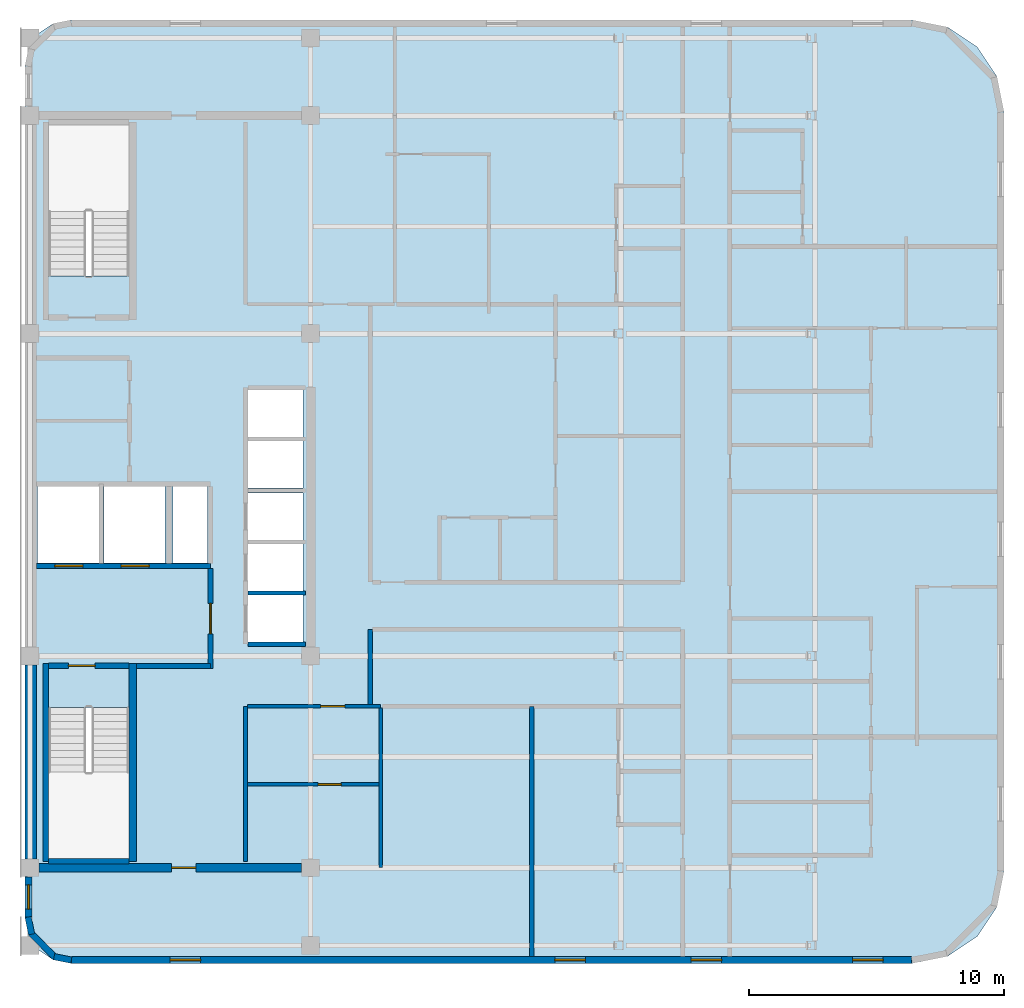
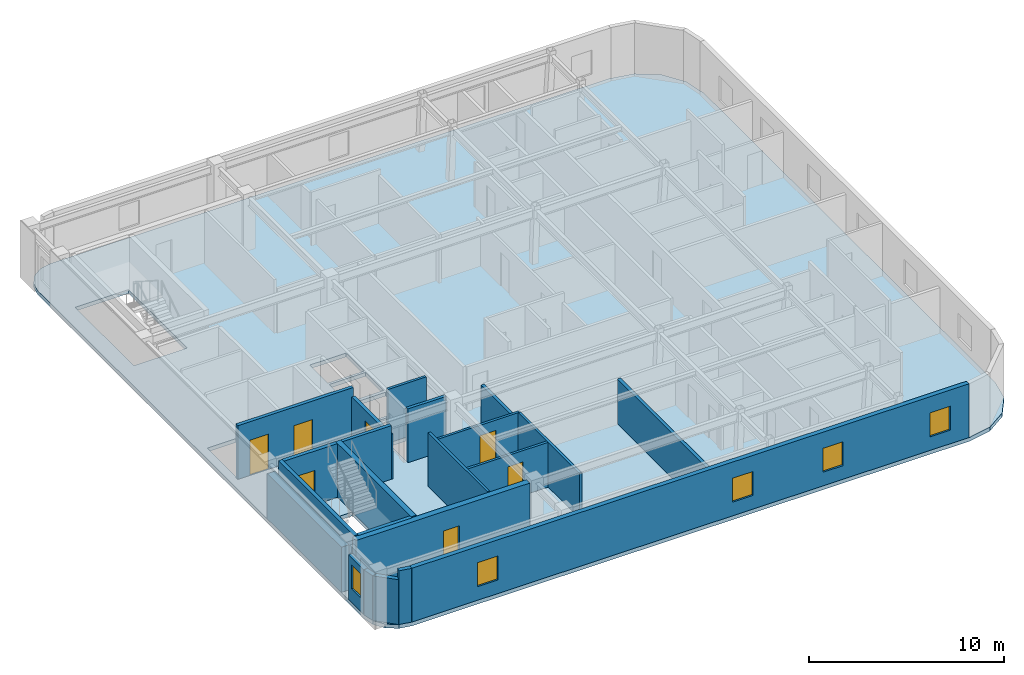
# One storey, part 2 of 7: 22 walls, 7 doors, 5 windows, 1 slab, 12 openings.
"""IFC4 building model written with IfcOpenShell, lengths in metres."""

from ifc_helpers import new_model, si_unit, direction, frame, frame_2d, origin, place, context, subcontext, project, spatial, polyline, rectangle, outline, extrude, material, layer, layer_set, type_object, element, fill, save


model = new_model("IFC4")

# Units and contexts
model_context = context("Model", 3, precision=1e-05, world=origin(), true_north=direction((0.0, 1.0)))
body_context = subcontext(model_context, "Body", "Model", "MODEL_VIEW")
ifc_project = project(units=[si_unit("LENGTHUNIT", "METRE"), si_unit("AREAUNIT", "SQUARE_METRE"), si_unit("VOLUMEUNIT", "CUBIC_METRE"), si_unit("PLANEANGLEUNIT", "RADIAN"), si_unit("MASSUNIT", "GRAM", prefix="KILO")], contexts=[model_context])

# Site, building, storey
site_placement = place(None, origin())
site = spatial("IfcSite", under=ifc_project, at=site_placement, CompositionType="ELEMENT")
building_placement = place(site_placement, origin())
building = spatial("IfcBuilding", under=site, at=building_placement, Name="Ochreholt Gables", CompositionType="ELEMENT")
storey_placement = place(building_placement, frame((0.0, 0.0, 209.39990234375)))
storey = spatial("IfcBuildingStorey", under=building, at=storey_placement, Name="L54", CompositionType="ELEMENT", Elevation=209.39990234375)

# Slab
ifc_material_1 = material(Name="Concrete 40 MPa", Category="concrete")
ifc_layer_1 = layer(ifc_material_1, 0.239990234375, Name="Concrete 40 MPa")
ifc_layer_set_1 = layer_set([ifc_layer_1], Name="Concrete 40 MPa")
slab_type = type_object("IfcSlabType", Name="SLAB-TWR-240", PredefinedType="FLOOR", material=ifc_layer_set_1)
slab_placement = place(storey_placement, frame((0.0, 0.0, -0.239990234375)))
element("IfcSlab", 1, at=slab_placement, inside=storey, type_object=slab_type, Name="L54 Structural Floor Slab", PredefinedType="FLOOR", context=body_context, shape_type="SweptSolid", body=[
    extrude(outline(polyline([(24.0, 7.300048828125), (24.136962890625, 6.611083984375), (24.527099609375, 6.027099609375), (25.111083984375, 5.636962890625), (25.800048828125, 5.5), (58.800048828125, 5.5), (60.177734375, 5.77392578125), (61.345703125, 6.554443359375), (62.1259765625, 7.722412109375), (62.39990234375, 9.10009765625), (62.39990234375, 38.89990234375), (62.1259765625, 40.277587890625), (61.345703125, 41.445556640625), (60.177734375, 42.22607421875), (58.800048828125, 42.5), (25.800048828125, 42.5), (25.111083984375, 42.363037109375), (24.527099609375, 41.972900390625), (24.136962890625, 41.388916015625), (24.0, 40.699951171875), (24.0, 7.300048828125)]), holes=[polyline([(24.919921875, 15.539306640625), (24.919921875, 9.52001953125), (28.080078125, 9.52001953125), (28.080078125, 15.539306640625), (24.919921875, 15.539306640625)]), polyline([(28.080078125, 32.460693359375), (28.080078125, 38.47998046875), (24.919921875, 38.47998046875), (24.919921875, 32.460693359375), (28.080078125, 32.460693359375)]), polyline([(24.5, 21.199951171875), (26.89990234375, 21.199951171875), (26.89990234375, 24.199951171875), (24.5, 24.199951171875), (24.5, 21.199951171875)]), polyline([(27.10009765625, 21.199951171875), (29.5, 21.199951171875), (29.5, 24.199951171875), (27.10009765625, 24.199951171875), (27.10009765625, 21.199951171875)]), polyline([(32.75, 18.10009765625), (34.89990234375, 18.10009765625), (34.89990234375, 19.949951171875), (32.75, 19.949951171875), (32.75, 18.10009765625)]), polyline([(32.75, 20.10009765625), (34.89990234375, 20.10009765625), (34.89990234375, 21.949951171875), (32.75, 21.949951171875), (32.75, 20.10009765625)]), polyline([(32.75, 22.10009765625), (34.89990234375, 22.10009765625), (34.89990234375, 23.949951171875), (32.75, 23.949951171875), (32.75, 22.10009765625)]), polyline([(32.75, 24.14990234375), (34.89990234375, 24.14990234375), (34.89990234375, 26.0), (32.75, 26.0), (32.75, 24.14990234375)]), polyline([(32.75, 26.14990234375), (34.89990234375, 26.14990234375), (34.89990234375, 28.0), (32.75, 28.0), (32.75, 26.14990234375)]), polyline([(29.800048828125, 21.199951171875), (31.14990234375, 21.199951171875), (31.14990234375, 24.199951171875), (29.800048828125, 24.199951171875), (29.800048828125, 21.199951171875)])]), origin(), (0.0, 0.0, 1.0), 0.239990234375),
])

# Wall, opening, door
ifc_material_2 = material(Name="Concrete 50 MPa", Category="concrete")
ifc_layer_2 = layer(ifc_material_2, 0.35009765625, Name="Concrete 50 MPa")
ifc_layer_set_2 = layer_set([ifc_layer_2], Name="Concrete 50 MPa")
wall_type_1 = type_object("IfcWallType", Name="WALL-CSW-350", PredefinedType="SHEAR", material=ifc_layer_set_2)
wall_1_placement = place(storey_placement, frame((24.550048828125, 9.25, 0.0), z_axis=(0.0, 0.0, 1.0), x_axis=(1.0, 0.0, 0.0)))
wall_1 = element("IfcWall", 2, at=wall_1_placement, inside=storey, type_object=wall_type_1, Name="L54 Core South Shear Wall", PredefinedType="SHEAR", context=body_context, shape_type="SweptSolid", body=[
    extrude(rectangle(XDim=10.300048828125, YDim=0.35009765625, at=frame_2d((5.14990234375, 0.0))), origin(), (0.0, 0.0, 1.0), 3.360107421875),
])
opening_1_placement = place(wall_1_placement, frame((5.199951171875, 0.0, 0.0)))
opening_1 = element("IfcOpeningElement", 3, at=opening_1_placement, cuts=wall_1, Name="Opening D-FL2", PredefinedType="OPENING", context=body_context, shape_type="SweptSolid", body=[
    extrude(rectangle(XDim=0.949951171875, YDim=2.14990234375, at=frame_2d((0.47509765625, 1.074951171875))), frame((0.0, 0.18505859375, 0.0), z_axis=(0.0, -1.0, 0.0), x_axis=(1.0, 0.0, 0.0)), (0.0, 0.0, 1.0), 0.3701171875),
])
ifc_material_3 = material(Name="Hollow Metal Steel", Category="steel")
door_type_1 = type_object("IfcDoorType", Name="DR-INT-FLB950", OperationType="NOTDEFINED", PredefinedType="DOOR", material=ifc_material_3)
door_1_placement = place(opening_1_placement, frame((0.949951171875, 0.0, 0.0), z_axis=(0.0, 0.0, 1.0), x_axis=(-1.0, 0.0, 0.0)))
door_1 = element("IfcDoor", 4, at=door_1_placement, inside=storey, type_object=door_type_1, Name="L54 Door D-C3SSL-L54", OperationType="SINGLE_SWING_LEFT", OverallHeight=2.14990234375, OverallWidth=0.949951171875, PredefinedType="DOOR", context=body_context, shape_type="SweptSolid", body=[
    extrude(rectangle(XDim=0.949951171875, YDim=2.14990234375, at=frame_2d((0.47509765625, 1.074951171875))), frame((0.0, 0.02490234375, 0.0), z_axis=(0.0, -1.0, 0.0), x_axis=(1.0, 0.0, 0.0)), (0.0, 0.0, 1.0), 0.050048828125),
])
fill(opening_1, door_1)

# Wall
ifc_layer_3 = layer(ifc_material_2, 0.449951171875, Name="Concrete 50 MPa")
ifc_layer_set_3 = layer_set([ifc_layer_3], Name="Concrete 50 MPa")
wall_type_2 = type_object("IfcWallType", Name="WALL-CSW-EXT", PredefinedType="SHEAR", material=ifc_layer_set_3)
wall_2_placement = place(storey_placement, frame((24.22509765625, 9.60009765625, 0.0), z_axis=(0.0, 0.0, 1.0), x_axis=(0.0, 1.0, 0.0)))
element("IfcWall", 5, at=wall_2_placement, inside=storey, type_object=wall_type_2, Name="L54 Core West Shear Wall WS", PredefinedType="SHEAR", context=body_context, shape_type="SweptSolid", body=[
    extrude(rectangle(XDim=7.599853515625, YDim=0.449951171875, at=frame_2d((3.7998046875, 0.0))), origin(), (0.0, 0.0, 1.0), 2.821044921875),
])

# Wall, openings, windows
ifc_material_4 = material(Name="Precast concrete 40 MPa", Category="concrete")
ifc_layer_4 = layer(ifc_material_4, 0.27001953125, Name="Precast concrete 40 MPa")
ifc_layer_set_4 = layer_set([ifc_layer_4], Name="Precast concrete 40 MPa")
wall_type_3 = type_object("IfcWallType", Name="WALL-EXT-270", PredefinedType="SOLIDWALL", material=ifc_layer_set_4)
wall_3_placement = place(storey_placement, frame((25.820068359375, 5.635009765625, 0.0), z_axis=(0.0, 0.0, 1.0), x_axis=(1.0, 0.0, 0.0)))
wall_3 = element("IfcWall", 6, at=wall_3_placement, inside=storey, type_object=wall_type_3, Name="L54 South Exterior Wall", PredefinedType="SOLIDWALL", context=body_context, shape_type="SweptSolid", body=[
    extrude(rectangle(XDim=32.9599609375, YDim=0.27001953125, at=frame_2d((16.47998046875, 0.0))), origin(), (0.0, 0.0, 1.0), 3.360107421875),
])
opening_2_placement = place(wall_3_placement, frame((3.8701171875, 0.0, 0.85009765625)))
opening_2 = element("IfcOpeningElement", 7, at=opening_2_placement, cuts=wall_3, Name="Opening WN-3", PredefinedType="OPENING", context=body_context, shape_type="SweptSolid", body=[
    extrude(rectangle(XDim=1.199951171875, YDim=1.5, at=frame_2d((0.60009765625, 0.75))), frame((0.0, 0.14501953125, 0.0), z_axis=(0.0, -1.0, 0.0), x_axis=(1.0, 0.0, 0.0)), (0.0, 0.0, 1.0), 0.2900390625),
])
opening_3_placement = place(wall_3_placement, frame((18.96142578125, 0.0, 0.85009765625)))
opening_3 = element("IfcOpeningElement", 8, at=opening_3_placement, cuts=wall_3, Name="Opening WN-3", PredefinedType="OPENING", context=body_context, shape_type="SweptSolid", body=[
    extrude(rectangle(XDim=1.199951171875, YDim=1.5, at=frame_2d((0.60009765625, 0.75))), frame((0.0, 0.14501953125, 0.0), z_axis=(0.0, -1.0, 0.0), x_axis=(1.0, 0.0, 0.0)), (0.0, 0.0, 1.0), 0.2900390625),
])
opening_4_placement = place(wall_3_placement, frame((24.304931640625, 0.0, 0.85009765625)))
opening_4 = element("IfcOpeningElement", 9, at=opening_4_placement, cuts=wall_3, Name="Opening WN-3", PredefinedType="OPENING", context=body_context, shape_type="SweptSolid", body=[
    extrude(rectangle(XDim=1.199951171875, YDim=1.5, at=frame_2d((0.60009765625, 0.75))), frame((0.0, 0.14501953125, 0.0), z_axis=(0.0, -1.0, 0.0), x_axis=(1.0, 0.0, 0.0)), (0.0, 0.0, 1.0), 0.2900390625),
])
opening_5_placement = place(wall_3_placement, frame((30.643310546875, 0.0, 0.85009765625)))
opening_5 = element("IfcOpeningElement", 10, at=opening_5_placement, cuts=wall_3, Name="Opening WN-3", PredefinedType="OPENING", context=body_context, shape_type="SweptSolid", body=[
    extrude(rectangle(XDim=1.199951171875, YDim=1.5, at=frame_2d((0.60009765625, 0.75))), frame((0.0, 0.14501953125, 0.0), z_axis=(0.0, -1.0, 0.0), x_axis=(1.0, 0.0, 0.0)), (0.0, 0.0, 1.0), 0.2900390625),
])
ifc_material_5 = material(Name="Triple-Glazed Thermally Broken Aluminium Window", Category="aluminium")
window_type_1 = type_object("IfcWindowType", Name="WIN-RES-1200", PartitioningType="SINGLE_PANEL", PredefinedType="WINDOW", material=ifc_material_5)
window_1_placement = place(opening_2_placement, origin())
window_1 = element("IfcWindow", 11, at=window_1_placement, inside=storey, type_object=window_type_1, Name="L54 Window W-EXT-S-L54-1", OverallHeight=1.5, OverallWidth=1.199951171875, PartitioningType="SINGLE_PANEL", PredefinedType="WINDOW", context=body_context, shape_type="SweptSolid", body=[
    extrude(rectangle(XDim=1.199951171875, YDim=1.5, at=frame_2d((0.60009765625, 0.75))), frame((0.0, 0.030029296875, 0.0), z_axis=(0.0, -1.0, 0.0), x_axis=(1.0, 0.0, 0.0)), (0.0, 0.0, 1.0), 0.06005859375),
])
fill(opening_2, window_1)
window_2_placement = place(opening_3_placement, origin())
window_2 = element("IfcWindow", 12, at=window_2_placement, inside=storey, type_object=window_type_1, Name="L54 Window W-EXT-S-L54-2", OverallHeight=1.5, OverallWidth=1.199951171875, PartitioningType="SINGLE_PANEL", PredefinedType="WINDOW", context=body_context, shape_type="SweptSolid", body=[
    extrude(rectangle(XDim=1.199951171875, YDim=1.5, at=frame_2d((0.60009765625, 0.75))), frame((0.0, 0.030029296875, 0.0), z_axis=(0.0, -1.0, 0.0), x_axis=(1.0, 0.0, 0.0)), (0.0, 0.0, 1.0), 0.06005859375),
])
fill(opening_3, window_2)
window_3_placement = place(opening_4_placement, origin())
window_3 = element("IfcWindow", 13, at=window_3_placement, inside=storey, type_object=window_type_1, Name="L54 Window W-EXT-S-L54-3", OverallHeight=1.5, OverallWidth=1.199951171875, PartitioningType="SINGLE_PANEL", PredefinedType="WINDOW", context=body_context, shape_type="SweptSolid", body=[
    extrude(rectangle(XDim=1.199951171875, YDim=1.5, at=frame_2d((0.60009765625, 0.75))), frame((0.0, 0.030029296875, 0.0), z_axis=(0.0, -1.0, 0.0), x_axis=(1.0, 0.0, 0.0)), (0.0, 0.0, 1.0), 0.06005859375),
])
fill(opening_4, window_3)
window_4_placement = place(opening_5_placement, origin())
window_4 = element("IfcWindow", 14, at=window_4_placement, inside=storey, type_object=window_type_1, Name="L54 Window W-EXT-S-L54-4", OverallHeight=1.5, OverallWidth=1.199951171875, PartitioningType="SINGLE_PANEL", PredefinedType="WINDOW", context=body_context, shape_type="SweptSolid", body=[
    extrude(rectangle(XDim=1.199951171875, YDim=1.5, at=frame_2d((0.60009765625, 0.75))), frame((0.0, 0.030029296875, 0.0), z_axis=(0.0, -1.0, 0.0), x_axis=(1.0, 0.0, 0.0)), (0.0, 0.0, 1.0), 0.06005859375),
])
fill(opening_5, window_4)

# Wall, opening, window
wall_4_placement = place(storey_placement, frame((24.135009765625, 7.320068359375, 0.0), z_axis=(0.0, 0.0, 1.0), x_axis=(0.0, 1.0, 0.0)))
wall_4 = element("IfcWall", 15, at=wall_4_placement, inside=storey, type_object=wall_type_3, Name="L54 West Facade South Bay Wall", PredefinedType="SOLIDWALL", context=body_context, shape_type="SweptSolid", body=[
    extrude(rectangle(XDim=1.559814453125, YDim=0.27001953125, at=frame_2d((0.77978515625, 0.0))), origin(), (0.0, 0.0, 1.0), 2.802978515625),
])
opening_6_placement = place(wall_4_placement, frame((0.304931640625, 0.0, 0.85009765625)))
opening_6 = element("IfcOpeningElement", 16, at=opening_6_placement, cuts=wall_4, Name="Opening WN-10", PredefinedType="OPENING", context=body_context, shape_type="SweptSolid", body=[
    extrude(rectangle(XDim=0.949951171875, YDim=1.5, at=frame_2d((0.47509765625, 0.75))), frame((0.0, 0.14501953125, 0.0), z_axis=(0.0, -1.0, 0.0), x_axis=(1.0, 0.0, 0.0)), (0.0, 0.0, 1.0), 0.2900390625),
])
window_type_2 = type_object("IfcWindowType", Name="WIN-RES-950", PartitioningType="SINGLE_PANEL", PredefinedType="WINDOW", material=ifc_material_5)
window_5_placement = place(opening_6_placement, origin())
window_5 = element("IfcWindow", 17, at=window_5_placement, inside=storey, type_object=window_type_2, Name="L54 South Sky Lounge West Window", OverallHeight=1.5, OverallWidth=0.949951171875, PartitioningType="SINGLE_PANEL", PredefinedType="WINDOW", context=body_context, shape_type="SweptSolid", body=[
    extrude(rectangle(XDim=0.949951171875, YDim=1.5, at=frame_2d((0.47509765625, 0.75))), frame((0.0, 0.030029296875, 0.0), z_axis=(0.0, -1.0, 0.0), x_axis=(1.0, 0.0, 0.0)), (0.0, 0.0, 1.0), 0.06005859375),
])
fill(opening_6, window_5)

# Walls
ifc_layer_5 = layer(ifc_material_4, 0.25, Name="Precast concrete 40 MPa")
ifc_layer_set_5 = layer_set([ifc_layer_5], Name="Precast concrete 40 MPa")
wall_type_4 = type_object("IfcWallType", Name="WALL-EXT-CNR", PredefinedType="SOLIDWALL", material=ifc_layer_set_5)
wall_5_placement = place(storey_placement, frame((24.124267578125, 7.31640625, 0.0), z_axis=(0.0, 0.0, 1.0), x_axis=(0.194952956674, -0.980812594069, 0.0)))
element("IfcWall", 18, at=wall_5_placement, inside=storey, type_object=wall_type_4, Name="L54 Rounded Corner Wall SW-1", PredefinedType="SOLIDWALL", context=body_context, shape_type="SweptSolid", body=[
    extrude(rectangle(XDim=0.686279296875, YDim=0.25, at=frame_2d((0.34326171875, 0.0))), origin(), (0.0, 0.0, 1.0), 2.802978515625),
])
wall_6_placement = place(storey_placement, frame((24.23095703125, 6.69384765625, 0.0), z_axis=(0.0, 0.0, 1.0), x_axis=(0.707106781187, -0.707106781187, 0.0)))
element("IfcWall", 19, at=wall_6_placement, inside=storey, type_object=wall_type_4, Name="L54 Rounded Corner Wall SW-2", PredefinedType="SOLIDWALL", context=body_context, shape_type="SweptSolid", body=[
    extrude(rectangle(XDim=1.36181640625, YDim=0.25, at=frame_2d((0.680908203125, 0.0))), origin(), (0.0, 0.0, 1.0), 2.802978515625),
])
wall_7_placement = place(storey_placement, frame((25.143310546875, 5.758056640625, 0.0), z_axis=(0.0, 0.0, 1.0), x_axis=(0.980812594069, -0.194952956674, 0.0)))
element("IfcWall", 20, at=wall_7_placement, inside=storey, type_object=wall_type_4, Name="L54 Rounded Corner Wall SW-3", PredefinedType="SOLIDWALL", context=body_context, shape_type="SweptSolid", body=[
    extrude(rectangle(XDim=0.686279296875, YDim=0.25, at=frame_2d((0.34326171875, 0.0))), origin(), (0.0, 0.0, 1.0), 3.360107421875),
])

# Wall, openings, doors
ifc_layer_6 = layer(ifc_material_1, 0.199951171875, Name="Concrete 40 MPa")
ifc_layer_set_6 = layer_set([ifc_layer_6], Name="Concrete 40 MPa")
wall_type_5 = type_object("IfcWallType", Name="WALL-INT-CF200", PredefinedType="STANDARD", material=ifc_layer_set_6)
wall_8_placement = place(storey_placement, frame((24.449951171875, 21.090087890625, 0.0), z_axis=(0.0, 0.0, 1.0), x_axis=(1.0, 0.0, 0.0)))
wall_8 = element("IfcWall", 21, at=wall_8_placement, inside=storey, type_object=wall_type_5, Name="L54 Interior Wall WI-FFN-L54", PredefinedType="STANDARD", context=body_context, shape_type="SweptSolid", body=[
    extrude(rectangle(XDim=6.830078125, YDim=0.199951171875, at=frame_2d((3.4150390625, 0.0))), origin(), (0.0, 0.0, 1.0), 3.360107421875),
])
opening_7_placement = place(wall_8_placement, frame((0.719970703125, 0.0, 0.0)))
opening_7 = element("IfcOpeningElement", 22, at=opening_7_placement, cuts=wall_8, Name="Opening LD-FF", PredefinedType="OPENING", context=body_context, shape_type="SweptSolid", body=[
    extrude(rectangle(XDim=1.10009765625, YDim=2.199951171875, at=frame_2d((0.550048828125, 1.10009765625))), frame((0.0, 0.10986328125, 0.0), z_axis=(0.0, -1.0, 0.0), x_axis=(1.0, 0.0, 0.0)), (0.0, 0.0, 1.0), 0.219970703125),
])
opening_8_placement = place(wall_8_placement, frame((3.320068359375, 0.0, 0.0)))
opening_8 = element("IfcOpeningElement", 23, at=opening_8_placement, cuts=wall_8, Name="Opening LD-FF", PredefinedType="OPENING", context=body_context, shape_type="SweptSolid", body=[
    extrude(rectangle(XDim=1.10009765625, YDim=2.199951171875, at=frame_2d((0.550048828125, 1.10009765625))), frame((0.0, 0.10986328125, 0.0), z_axis=(0.0, -1.0, 0.0), x_axis=(1.0, 0.0, 0.0)), (0.0, 0.0, 1.0), 0.219970703125),
])
ifc_material_6 = material(Name="Stainless Steel", Category="steel")
door_type_2 = type_object("IfcDoorType", Name="DR-LFT-FF1100", OperationType="NOTDEFINED", PredefinedType="DOOR", material=ifc_material_6)
door_2_placement = place(opening_7_placement, origin())
door_2 = element("IfcDoor", 24, at=door_2_placement, inside=storey, type_object=door_type_2, Name="L54 Door LD-FF1-L54", OperationType="SLIDING_TO_LEFT", OverallHeight=2.199951171875, OverallWidth=1.10009765625, PredefinedType="DOOR", context=body_context, shape_type="SweptSolid", body=[
    extrude(rectangle(XDim=1.10009765625, YDim=2.199951171875, at=frame_2d((0.550048828125, 1.10009765625))), frame((0.0, 0.02490234375, 0.0), z_axis=(0.0, -1.0, 0.0), x_axis=(1.0, 0.0, 0.0)), (0.0, 0.0, 1.0), 0.050048828125),
])
fill(opening_7, door_2)
door_3_placement = place(opening_8_placement, origin())
door_3 = element("IfcDoor", 25, at=door_3_placement, inside=storey, type_object=door_type_2, Name="L54 Door LD-FF2-L54", OperationType="SLIDING_TO_LEFT", OverallHeight=2.199951171875, OverallWidth=1.10009765625, PredefinedType="DOOR", context=body_context, shape_type="SweptSolid", body=[
    extrude(rectangle(XDim=1.10009765625, YDim=2.199951171875, at=frame_2d((0.550048828125, 1.10009765625))), frame((0.0, 0.02490234375, 0.0), z_axis=(0.0, -1.0, 0.0), x_axis=(1.0, 0.0, 0.0)), (0.0, 0.0, 1.0), 0.050048828125),
])
fill(opening_8, door_3)

# Wall
wall_9_placement = place(storey_placement, frame((28.3798828125, 17.169921875, 0.0), z_axis=(0.0, 0.0, 1.0), x_axis=(1.0, 0.0, 0.0)))
element("IfcWall", 26, at=wall_9_placement, inside=storey, type_object=wall_type_5, Name="L54 Interior Wall WI-FFS-L54", PredefinedType="STANDARD", context=body_context, shape_type="SweptSolid", body=[
    extrude(rectangle(XDim=2.900146484375, YDim=0.199951171875, at=frame_2d((1.4501953125, 0.0))), origin(), (0.0, 0.0, 1.0), 3.360107421875),
])

# Wall, opening, door
wall_10_placement = place(storey_placement, frame((31.280029296875, 17.070068359375, 0.0), z_axis=(0.0, 0.0, 1.0), x_axis=(0.0, 1.0, 0.0)))
wall_10 = element("IfcWall", 27, at=wall_10_placement, inside=storey, type_object=wall_type_5, Name="L54 Interior Wall WI-FFE-L54", PredefinedType="STANDARD", context=body_context, shape_type="SweptSolid", body=[
    extrude(rectangle(XDim=3.919921875, YDim=0.199951171875, at=frame_2d((1.9599609375, 0.0))), origin(), (0.0, 0.0, 1.0), 2.802978515625),
])
opening_9_placement = place(wall_10_placement, frame((1.35009765625, 0.0, 0.0)))
opening_9 = element("IfcOpeningElement", 28, at=opening_9_placement, cuts=wall_10, Name="Opening D-FFL", PredefinedType="OPENING", context=body_context, shape_type="SweptSolid", body=[
    extrude(rectangle(XDim=1.199951171875, YDim=2.14990234375, at=frame_2d((0.60009765625, 1.074951171875))), frame((0.0, 0.10986328125, 0.0), z_axis=(0.0, -1.0, 0.0), x_axis=(1.0, 0.0, 0.0)), (0.0, 0.0, 1.0), 0.219970703125),
])
door_type_3 = type_object("IfcDoorType", Name="DR-INT-FFL1200", OperationType="NOTDEFINED", PredefinedType="DOOR", material=ifc_material_3)
door_4_placement = place(opening_9_placement, origin())
door_4 = element("IfcDoor", 29, at=door_4_placement, inside=storey, type_object=door_type_3, Name="L54 Door D-FFL-L54", OperationType="SINGLE_SWING_LEFT", OverallHeight=2.14990234375, OverallWidth=1.199951171875, PredefinedType="DOOR", context=body_context, shape_type="SweptSolid", body=[
    extrude(rectangle(XDim=1.199951171875, YDim=2.14990234375, at=frame_2d((0.60009765625, 1.074951171875))), frame((0.0, 0.02490234375, 0.0), z_axis=(0.0, -1.0, 0.0), x_axis=(1.0, 0.0, 0.0)), (0.0, 0.0, 1.0), 0.050048828125),
])
fill(opening_9, door_4)

# Walls
ifc_material_7 = material(Name="Fire-Rated Gypsum Acoustic Partition", Category="gypsum")
ifc_layer_7 = layer(ifc_material_7, 0.179931640625, Name="Fire-Rated Gypsum Acoustic Partition")
ifc_layer_set_7 = layer_set([ifc_layer_7], Name="Fire-Rated Gypsum Acoustic Partition")
wall_type_6 = type_object("IfcWallType", Name="WALL-INT-CR180", PredefinedType="STANDARD", material=ifc_layer_set_7)
wall_11_placement = place(storey_placement, frame((37.550048828125, 15.652587890625, 0.0), z_axis=(0.0, 0.0, 1.0), x_axis=(0.0, 1.0, 0.0)))
element("IfcWall", 30, at=wall_11_placement, inside=storey, type_object=wall_type_6, Name="L54 Interior Wall WI-C3CE0-L54", PredefinedType="STANDARD", context=body_context, shape_type="SweptSolid", body=[
    extrude(rectangle(XDim=2.947509765625, YDim=0.179931640625, at=frame_2d((1.4736328125, 0.0))), origin(), (0.0, 0.0, 1.0), 2.802978515625),
])
ifc_material_8 = material(Name="Double-Stud Acoustic Demising Wall", Category="gypsum")
ifc_layer_8 = layer(ifc_material_8, 0.18505859375, Name="Double-Stud Acoustic Demising Wall")
ifc_layer_set_8 = layer_set([ifc_layer_8], Name="Double-Stud Acoustic Demising Wall")
wall_type_7 = type_object("IfcWallType", Name="WALL-INT-DM185", PredefinedType="PARTITIONING", material=ifc_layer_set_8)
wall_12_placement = place(storey_placement, frame((43.875, 5.77001953125, 0.0), z_axis=(0.0, 0.0, 1.0), x_axis=(0.0, 1.0, 0.0)))
element("IfcWall", 31, at=wall_12_placement, inside=storey, type_object=wall_type_7, Name="L54 Interior Wall WI-C3SMX-L54", PredefinedType="PARTITIONING", context=body_context, shape_type="SweptSolid", body=[
    extrude(rectangle(XDim=9.81005859375, YDim=0.18505859375, at=frame_2d((4.905029296875, 0.0))), origin(), (0.0, 0.0, 1.0), 2.802978515625),
])
ifc_material_9 = material(Name="Lightweight Stud Partition", Category="gypsum")
ifc_layer_9 = layer(ifc_material_9, 0.14501953125, Name="Lightweight Stud Partition")
ifc_layer_set_9 = layer_set([ifc_layer_9], Name="Lightweight Stud Partition")
wall_type_8 = type_object("IfcWallType", Name="WALL-INT-PT145", PredefinedType="PARTITIONING", material=ifc_layer_set_9)
wall_13_placement = place(storey_placement, frame((32.64990234375, 9.5, 0.0), z_axis=(0.0, 0.0, 1.0), x_axis=(0.0, 1.0, 0.0)))
element("IfcWall", 32, at=wall_13_placement, inside=storey, type_object=wall_type_8, Name="L54 Interior Wall WI-RCL-W-L54", PredefinedType="PARTITIONING", context=body_context, shape_type="SweptSolid", body=[
    extrude(rectangle(XDim=6.080078125, YDim=0.14501953125, at=frame_2d((3.0400390625, 0.0))), origin(), (0.0, 0.0, 1.0), 3.360107421875),
])

# Wall, opening, door
wall_14_placement = place(storey_placement, frame((32.722412109375, 15.580078125, 0.0), z_axis=(0.0, 0.0, 1.0), x_axis=(1.0, 0.0, 0.0)))
wall_14 = element("IfcWall", 33, at=wall_14_placement, inside=storey, type_object=wall_type_8, Name="L54 Interior Wall WI-RCL-N-L54", PredefinedType="PARTITIONING", context=body_context, shape_type="SweptSolid", body=[
    extrude(rectangle(XDim=5.2275390625, YDim=0.14501953125, at=frame_2d((2.61376953125, 0.0))), origin(), (0.0, 0.0, 1.0), 2.802978515625),
])
opening_10_placement = place(wall_14_placement, frame((2.87744140625, 0.0, 0.0)))
opening_10 = element("IfcOpeningElement", 34, at=opening_10_placement, cuts=wall_14, Name="Opening D-GN1", PredefinedType="OPENING", context=body_context, shape_type="SweptSolid", body=[
    extrude(rectangle(XDim=0.949951171875, YDim=2.14990234375, at=frame_2d((0.47509765625, 1.074951171875))), frame((0.0, 0.08251953125, 0.0), z_axis=(0.0, -1.0, 0.0), x_axis=(1.0, 0.0, 0.0)), (0.0, 0.0, 1.0), 0.1650390625),
])
ifc_material_10 = material(Name="Engineered Oak Timber", Category="wood")
door_type_4 = type_object("IfcDoorType", Name="DR-INT-GEN950", OperationType="NOTDEFINED", PredefinedType="DOOR", material=ifc_material_10)
door_5_placement = place(opening_10_placement, origin())
door_5 = element("IfcDoor", 35, at=door_5_placement, inside=storey, type_object=door_type_4, Name="L54 Door D-RCL-L54", OperationType="SINGLE_SWING_LEFT", OverallHeight=2.14990234375, OverallWidth=0.949951171875, PredefinedType="DOOR", context=body_context, shape_type="SweptSolid", body=[
    extrude(rectangle(XDim=0.949951171875, YDim=2.14990234375, at=frame_2d((0.47509765625, 1.074951171875))), frame((0.0, 0.02490234375, 0.0), z_axis=(0.0, -1.0, 0.0), x_axis=(1.0, 0.0, 0.0)), (0.0, 0.0, 1.0), 0.050048828125),
])
fill(opening_10, door_5)

# Wall
wall_15_placement = place(storey_placement, frame((37.949951171875, 9.25, 0.0), z_axis=(0.0, 0.0, 1.0), x_axis=(0.0, 1.0, 0.0)))
element("IfcWall", 36, at=wall_15_placement, inside=storey, type_object=wall_type_8, Name="L54 Interior Wall WI-RCL-E-L54", PredefinedType="PARTITIONING", context=body_context, shape_type="SweptSolid", body=[
    extrude(rectangle(XDim=6.257568359375, YDim=0.14501953125, at=frame_2d((3.12890625, 0.0))), origin(), (0.0, 0.0, 1.0), 2.802978515625),
])

# Wall, opening, door
wall_16_placement = place(storey_placement, frame((32.722412109375, 12.52001953125, 0.0), z_axis=(0.0, 0.0, 1.0), x_axis=(1.0, 0.0, 0.0)))
wall_16 = element("IfcWall", 37, at=wall_16_placement, inside=storey, type_object=wall_type_8, Name="L54 Interior Wall WI-RCL-DV-L54", PredefinedType="PARTITIONING", context=body_context, shape_type="SweptSolid", body=[
    extrude(rectangle(XDim=5.155029296875, YDim=0.14501953125, at=frame_2d((2.57763671875, 0.0))), origin(), (0.0, 0.0, 1.0), 2.802978515625),
])
opening_11_placement = place(wall_16_placement, frame((2.777587890625, 0.0, 0.0)))
opening_11 = element("IfcOpeningElement", 38, at=opening_11_placement, cuts=wall_16, Name="Opening D-SV1", PredefinedType="OPENING", context=body_context, shape_type="SweptSolid", body=[
    extrude(rectangle(XDim=0.89990234375, YDim=2.10009765625, at=frame_2d((0.449951171875, 1.050048828125))), frame((0.0, 0.08251953125, 0.0), z_axis=(0.0, -1.0, 0.0), x_axis=(1.0, 0.0, 0.0)), (0.0, 0.0, 1.0), 0.1650390625),
])
door_type_5 = type_object("IfcDoorType", Name="DR-INT-SRV900", OperationType="NOTDEFINED", PredefinedType="DOOR", material=ifc_material_3)
door_6_placement = place(opening_11_placement, origin())
door_6 = element("IfcDoor", 39, at=door_6_placement, inside=storey, type_object=door_type_5, Name="L54 Door D-RCLI-L54", OperationType="SINGLE_SWING_RIGHT", OverallHeight=2.10009765625, OverallWidth=0.89990234375, PredefinedType="DOOR", context=body_context, shape_type="SweptSolid", body=[
    extrude(rectangle(XDim=0.89990234375, YDim=2.10009765625, at=frame_2d((0.449951171875, 1.050048828125))), frame((0.0, 0.02490234375, 0.0), z_axis=(0.0, -1.0, 0.0), x_axis=(1.0, 0.0, 0.0)), (0.0, 0.0, 1.0), 0.050048828125),
])
fill(opening_11, door_6)

# Walls
ifc_material_11 = material(Name="Gypsum Shaftliner and Steel Stud", Category="steel")
ifc_layer_10 = layer(ifc_material_11, 0.14990234375, Name="Gypsum Shaftliner and Steel Stud")
ifc_layer_set_10 = layer_set([ifc_layer_10], Name="Gypsum Shaftliner and Steel Stud")
wall_type_9 = type_object("IfcWallType", Name="WALL-INT-SH150", PredefinedType="STANDARD", material=ifc_layer_set_10)
wall_17_placement = place(storey_placement, frame((32.739990234375, 20.02001953125, 0.0), z_axis=(0.0, 0.0, 1.0), x_axis=(1.0, 0.0, 0.0)))
element("IfcWall", 40, at=wall_17_placement, inside=storey, type_object=wall_type_9, Name="L54 Interior Wall WI-LFHE-DH1-L54", PredefinedType="STANDARD", context=body_context, shape_type="SweptSolid", body=[
    extrude(rectangle(XDim=2.260009765625, YDim=0.14990234375, at=frame_2d((1.1298828125, 0.0))), origin(), (0.0, 0.0, 1.0), 3.360107421875),
])
ifc_layer_11 = layer(ifc_material_11, 0.179931640625, Name="Gypsum Shaftliner and Steel Stud")
ifc_layer_set_11 = layer_set([ifc_layer_11], Name="Gypsum Shaftliner and Steel Stud")
wall_type_10 = type_object("IfcWallType", Name="WALL-INT-SH180", PredefinedType="STANDARD", material=ifc_layer_set_11)
wall_18_placement = place(storey_placement, frame((32.739990234375, 18.02001953125, 0.0), z_axis=(0.0, 0.0, 1.0), x_axis=(1.0, 0.0, 0.0)))
element("IfcWall", 41, at=wall_18_placement, inside=storey, type_object=wall_type_10, Name="L54 Interior Wall WI-LFHE-S-L54", PredefinedType="STANDARD", context=body_context, shape_type="SweptSolid", body=[
    extrude(rectangle(XDim=2.260009765625, YDim=0.179931640625, at=frame_2d((1.1298828125, 0.0))), origin(), (0.0, 0.0, 1.0), 3.360107421875),
])
ifc_material_12 = material(Name="Concrete 60 MPa", Category="concrete")
ifc_layer_12 = layer(ifc_material_12, 0.300048828125, Name="Concrete 60 MPa")
ifc_layer_set_12 = layer_set([ifc_layer_12], Name="Concrete 60 MPa")
wall_type_11 = type_object("IfcWallType", Name="WALL-SPN-300", PredefinedType="SHEAR", material=ifc_layer_set_12)
wall_19_placement = place(storey_placement, frame((28.22998046875, 9.5, 0.0), z_axis=(0.0, 0.0, 1.0), x_axis=(0.0, 1.0, 0.0)))
element("IfcWall", 42, at=wall_19_placement, inside=storey, type_object=wall_type_11, Name="L54 Core South Spine Shear Wall", PredefinedType="SHEAR", context=body_context, shape_type="SweptSolid", body=[
    extrude(rectangle(XDim=7.760009765625, YDim=0.300048828125, at=frame_2d((3.8798828125, 0.0))), origin(), (0.0, 0.0, 1.0), 3.360107421875),
])
ifc_layer_13 = layer(ifc_material_2, 0.219970703125, Name="Concrete 50 MPa")
ifc_layer_set_13 = layer_set([ifc_layer_13], Name="Concrete 50 MPa")
wall_type_12 = type_object("IfcWallType", Name="WALL-STW-220", PredefinedType="SHEAR", material=ifc_layer_set_13)
wall_20_placement = place(storey_placement, frame((24.81005859375, 9.5, 0.0), z_axis=(0.0, 0.0, 1.0), x_axis=(0.0, 1.0, 0.0)))
element("IfcWall", 43, at=wall_20_placement, inside=storey, type_object=wall_type_12, Name="L54 Exit Stair 1 West Wall", PredefinedType="SHEAR", context=body_context, shape_type="SweptSolid", body=[
    extrude(rectangle(XDim=7.760009765625, YDim=0.219970703125, at=frame_2d((3.8798828125, 0.0))), origin(), (0.0, 0.0, 1.0), 3.360107421875),
])
wall_21_placement = place(storey_placement, frame((24.919921875, 9.510009765625, 0.0), z_axis=(0.0, 0.0, 1.0), x_axis=(1.0, 0.0, 0.0)))
element("IfcWall", 44, at=wall_21_placement, inside=storey, type_object=wall_type_12, Name="L54 Exit Stair 1 South Wall", PredefinedType="SHEAR", context=body_context, shape_type="SweptSolid", body=[
    extrude(rectangle(XDim=3.16015625, YDim=0.219970703125, at=frame_2d((1.580078125, 0.0))), origin(), (0.0, 0.0, 1.0), 3.360107421875),
])

# Wall, opening, door
wall_22_placement = place(storey_placement, frame((24.919921875, 17.169921875, 0.0), z_axis=(0.0, 0.0, 1.0), x_axis=(1.0, 0.0, 0.0)))
wall_22 = element("IfcWall", 45, at=wall_22_placement, inside=storey, type_object=wall_type_12, Name="L54 Exit Stair 1 North Wall", PredefinedType="SHEAR", context=body_context, shape_type="SweptSolid", body=[
    extrude(rectangle(XDim=3.16015625, YDim=0.219970703125, at=frame_2d((1.580078125, 0.0))), origin(), (0.0, 0.0, 1.0), 3.360107421875),
])
opening_12_placement = place(wall_22_placement, frame((0.780029296875, 0.0, 0.0)))
opening_12 = element("IfcOpeningElement", 46, at=opening_12_placement, cuts=wall_22, Name="Opening D-STC", PredefinedType="OPENING", context=body_context, shape_type="SweptSolid", body=[
    extrude(rectangle(XDim=1.050048828125, YDim=2.14990234375, at=frame_2d((0.52490234375, 1.074951171875))), frame((0.0, 0.119873046875, 0.0), z_axis=(0.0, -1.0, 0.0), x_axis=(1.0, 0.0, 0.0)), (0.0, 0.0, 1.0), 0.239990234375),
])
door_type_6 = type_object("IfcDoorType", Name="DR-INT-ST1050", OperationType="NOTDEFINED", PredefinedType="DOOR", material=ifc_material_3)
door_7_placement = place(opening_12_placement, frame((1.050048828125, 0.0, 0.0), z_axis=(0.0, 0.0, 1.0), x_axis=(-1.0, 0.0, 0.0)))
door_7 = element("IfcDoor", 47, at=door_7_placement, inside=storey, type_object=door_type_6, Name="L54 Door D-ST1-L54", OperationType="SINGLE_SWING_LEFT", OverallHeight=2.14990234375, OverallWidth=1.050048828125, PredefinedType="DOOR", context=body_context, shape_type="SweptSolid", body=[
    extrude(rectangle(XDim=1.050048828125, YDim=2.14990234375, at=frame_2d((0.52490234375, 1.074951171875))), frame((0.0, 0.02490234375, 0.0), z_axis=(0.0, -1.0, 0.0), x_axis=(1.0, 0.0, 0.0)), (0.0, 0.0, 1.0), 0.050048828125),
])
fill(opening_12, door_7)

save(model, "model.ifc")
